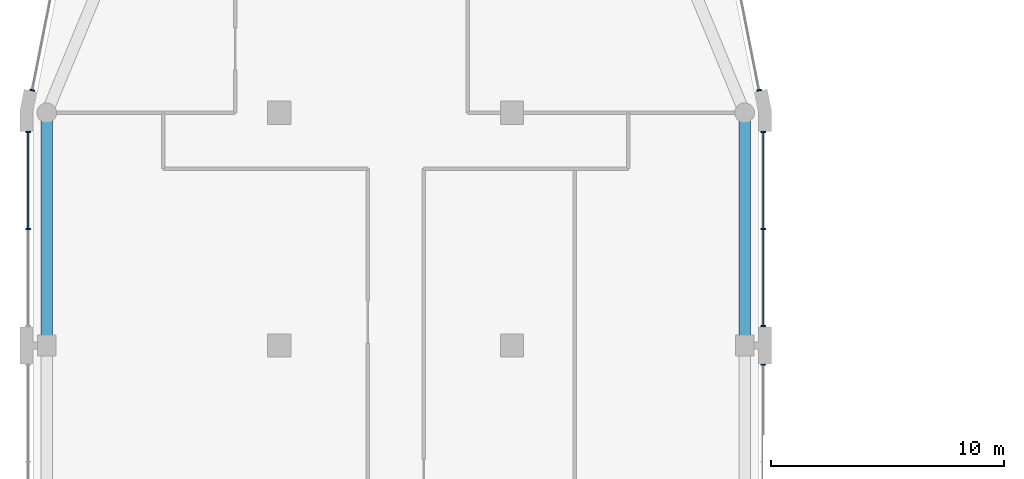
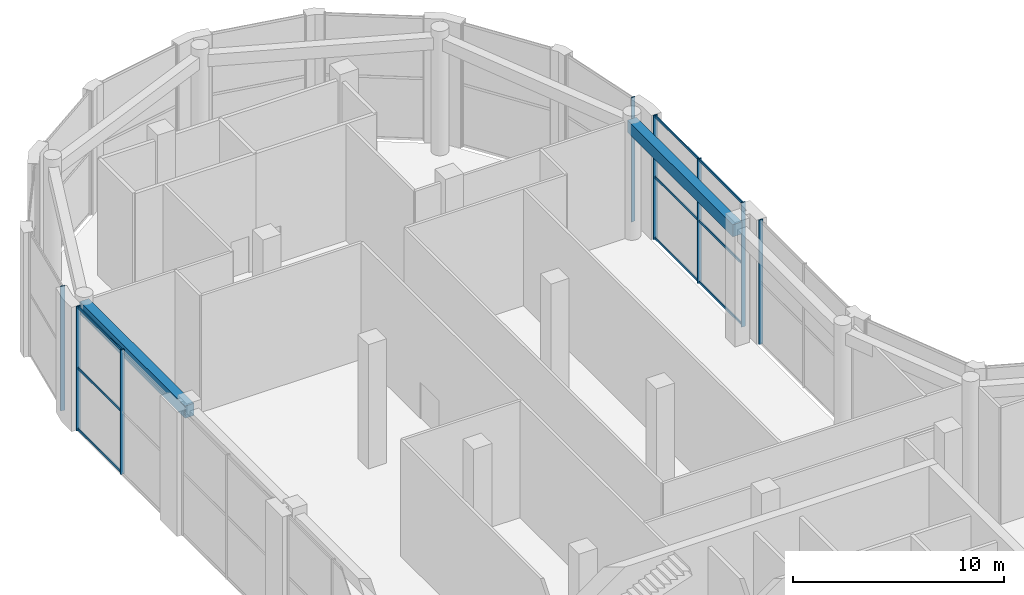
# One storey, part 6 of 14: 17 members, 2 beams, 5 elements without a shape of their own.
"""IFC4 building model written with IfcOpenShell, lengths in metres."""

from ifc_helpers import new_model, si_unit, direction, frame, origin, origin_2d, place, context, subcontext, project, spatial, rectangle, extrude, material, layer, layer_set, material_profile, profile_set, type_object, element, aggregate, save


model = new_model("IFC4")

# Units and contexts
model_context = context("Model", 3, precision=1e-05, world=origin(), true_north=direction((0.0, 1.0)))
body_context = subcontext(model_context, "Body", "Model", "MODEL_VIEW")
ifc_project = project(units=[si_unit("LENGTHUNIT", "METRE"), si_unit("AREAUNIT", "SQUARE_METRE"), si_unit("VOLUMEUNIT", "CUBIC_METRE"), si_unit("PLANEANGLEUNIT", "RADIAN"), si_unit("MASSUNIT", "GRAM", prefix="KILO")], contexts=[model_context])

# Site, building, storey
site_placement = place(None, origin())
site = spatial("IfcSite", under=ifc_project, at=site_placement, CompositionType="ELEMENT")
building_placement = place(site_placement, origin())
building = spatial("IfcBuilding", under=site, at=building_placement, Name="Qaws Garden Tower", CompositionType="ELEMENT")
storey_placement = place(building_placement, frame((0.0, 0.0, 358.199951171875)))
storey = spatial("IfcBuildingStorey", under=building, at=storey_placement, Name="L87", CompositionType="ELEMENT", Elevation=358.199951171875)

# Curtain wall, member
ifc_material_1 = material(Name="Anodised aluminium curtain wall frame", Category="aluminium")
ifc_layer = layer(ifc_material_1, 0.159912109375)
ifc_layer_set = layer_set([ifc_layer], Name="Anodised aluminium curtain wall frame")
curtain_wall_type = type_object("IfcCurtainWallType", Name="CW3 observation glazing curtain wall", PredefinedType="NOTDEFINED", material=ifc_layer_set)
placement = place(storey_placement, origin())
curtain_wall_1 = element("IfcCurtainWall", 1, at=placement, inside=storey, type_object=curtain_wall_type, Name="CW3 Observation glazing 07", PredefinedType="NOTDEFINED")
ifc_material_2 = material(Name="Anodised aluminium curtain wall frame", Category="aluminium")
ifc_material_profile_1 = material_profile(ifc_material_2, rectangle(XDim=0.219970703125, YDim=0.06005859375, at=origin_2d()), Name="AL 60x220")
ifc_profile_set_1 = profile_set([ifc_material_profile_1], Name="Anodised aluminium curtain wall frame")
member_type_1 = type_object("IfcMemberType", Name="CW3 mullion 60 x 220", PredefinedType="MULLION", material=ifc_profile_set_1)
member_1_placement = place(storey_placement, frame((30.800048828125, 49.169921875, 0.0), z_axis=(0.0, 0.0, 1.0), x_axis=(-1.0, 0.0, 0.0)))
member_1 = element("IfcMember", 2, at=member_1_placement, type_object=member_type_1, Name="CW3 mullion 3", PredefinedType="MULLION", context=body_context, shape_type="SweptSolid", body=[
    extrude(rectangle(XDim=0.219970703125, YDim=0.06005859375, at=origin_2d()), origin(), (0.0, 0.0, 1.0), 7.199951171875),
])
aggregate(curtain_wall_1, [member_1])

# Curtain wall, members
curtain_wall_2 = element("IfcCurtainWall", 3, at=placement, inside=storey, type_object=curtain_wall_type, Name="CW3 Observation glazing 08", PredefinedType="NOTDEFINED")
member_2_placement = place(storey_placement, frame((30.800048828125, 50.830078125, 0.0), z_axis=(0.0, 0.0, 1.0), x_axis=(-1.0, 0.0, 0.0)))
member_2 = element("IfcMember", 4, at=member_2_placement, type_object=member_type_1, Name="CW3 mullion 1", PredefinedType="MULLION", context=body_context, shape_type="SweptSolid", body=[
    extrude(rectangle(XDim=0.219970703125, YDim=0.06005859375, at=origin_2d()), origin(), (0.0, 0.0, 1.0), 7.199951171875),
])
member_3_placement = place(storey_placement, frame((30.800048828125, 55.0, 0.0), z_axis=(0.0, 0.0, 1.0), x_axis=(-1.0, 0.0, 0.0)))
member_3 = element("IfcMember", 5, at=member_3_placement, type_object=member_type_1, Name="CW3 mullion 2", PredefinedType="MULLION", context=body_context, shape_type="SweptSolid", body=[
    extrude(rectangle(XDim=0.219970703125, YDim=0.06005859375, at=origin_2d()), origin(), (0.0, 0.0, 1.0), 7.199951171875),
])
member_4_placement = place(storey_placement, frame((30.800048828125, 59.169921875, 0.0), z_axis=(0.0, 0.0, 1.0), x_axis=(-1.0, 0.0, 0.0)))
member_4 = element("IfcMember", 6, at=member_4_placement, type_object=member_type_1, Name="CW3 mullion 3", PredefinedType="MULLION", context=body_context, shape_type="SweptSolid", body=[
    extrude(rectangle(XDim=0.219970703125, YDim=0.06005859375, at=origin_2d()), origin(), (0.0, 0.0, 1.0), 7.199951171875),
])

# Curtain wall, member
curtain_wall_3 = element("IfcCurtainWall", 7, at=placement, inside=storey, type_object=curtain_wall_type, Name="CW3 Observation glazing 09", PredefinedType="NOTDEFINED")
member_5_placement = place(storey_placement, frame((30.622802734375, 60.97021484375, 0.0), z_axis=(0.0, 0.0, 1.0), x_axis=(-0.980785280407, -0.195090321999, 0.0)))
member_5 = element("IfcMember", 8, at=member_5_placement, type_object=member_type_1, Name="CW3 mullion 1", PredefinedType="MULLION", context=body_context, shape_type="SweptSolid", body=[
    extrude(rectangle(XDim=0.219970703125, YDim=0.06005859375, at=origin_2d()), origin(), (0.0, 0.0, 1.0), 7.199951171875),
])
aggregate(curtain_wall_3, [member_5])

curtain_wall_4 = element("IfcCurtainWall", 9, at=placement, inside=storey, type_object=curtain_wall_type, Name="CW3 Observation glazing 16", PredefinedType="NOTDEFINED")
member_6_placement = place(storey_placement, frame((-0.622802734375, 60.97021484375, 0.0), z_axis=(0.0, 0.0, 1.0), x_axis=(0.980785280407, -0.195090321999, 0.0)))
member_6 = element("IfcMember", 10, at=member_6_placement, type_object=member_type_1, Name="CW3 mullion 2", PredefinedType="MULLION", context=body_context, shape_type="SweptSolid", body=[
    extrude(rectangle(XDim=0.219970703125, YDim=0.06005859375, at=origin_2d()), origin(), (0.0, 0.0, 1.0), 7.199951171875),
])
aggregate(curtain_wall_4, [member_6])

# Curtain wall, members
curtain_wall_5 = element("IfcCurtainWall", 11, at=placement, inside=storey, type_object=curtain_wall_type, Name="CW3 Observation glazing 17", PredefinedType="NOTDEFINED")
member_7_placement = place(storey_placement, frame((-0.800048828125, 59.169921875, 0.0), z_axis=(0.0, 0.0, 1.0), x_axis=(1.0, 0.0, 0.0)))
member_7 = element("IfcMember", 12, at=member_7_placement, type_object=member_type_1, Name="CW3 mullion 1", PredefinedType="MULLION", context=body_context, shape_type="SweptSolid", body=[
    extrude(rectangle(XDim=0.219970703125, YDim=0.06005859375, at=origin_2d()), origin(), (0.0, 0.0, 1.0), 7.199951171875),
])
member_8_placement = place(storey_placement, frame((-0.800048828125, 55.0, 0.0), z_axis=(0.0, 0.0, 1.0), x_axis=(1.0, 0.0, 0.0)))
member_8 = element("IfcMember", 13, at=member_8_placement, type_object=member_type_1, Name="CW3 mullion 2", PredefinedType="MULLION", context=body_context, shape_type="SweptSolid", body=[
    extrude(rectangle(XDim=0.219970703125, YDim=0.06005859375, at=origin_2d()), origin(), (0.0, 0.0, 1.0), 7.199951171875),
])

# Member
ifc_material_3 = material(Name="Anodised aluminium curtain wall frame", Category="aluminium")
ifc_material_profile_2 = material_profile(ifc_material_3, rectangle(XDim=0.06005859375, YDim=0.139892578125, at=origin_2d()), Name="AL 60x140")
ifc_profile_set_2 = profile_set([ifc_material_profile_2], Name="Anodised aluminium curtain wall frame")
member_type_2 = type_object("IfcMemberType", Name="CW3 transom 140 x 60", PredefinedType="USERDEFINED", material=ifc_profile_set_2)
member_9_placement = place(storey_placement, frame((30.800048828125, 50.860107421875, 0.070068359375), z_axis=(0.0, 1.0, 0.0), x_axis=(-1.0, 0.0, 0.0)))
member_9 = element("IfcMember", 14, at=member_9_placement, type_object=member_type_2, Name="CW3 transom 1.1", ObjectType="TRANSOM", PredefinedType="USERDEFINED", context=body_context, shape_type="SweptSolid", body=[
    extrude(rectangle(XDim=0.06005859375, YDim=0.139892578125, at=origin_2d()), origin(), (0.0, 0.0, 1.0), 4.10986328125),
])

member_10_placement = place(storey_placement, frame((30.800048828125, 50.860107421875, 3.60009765625), z_axis=(0.0, 1.0, 0.0), x_axis=(-1.0, 0.0, 0.0)))
member_10 = element("IfcMember", 15, at=member_10_placement, type_object=member_type_2, Name="CW3 transom 1.2", ObjectType="TRANSOM", PredefinedType="USERDEFINED", context=body_context, shape_type="SweptSolid", body=[
    extrude(rectangle(XDim=0.06005859375, YDim=0.139892578125, at=origin_2d()), origin(), (0.0, 0.0, 1.0), 4.10986328125),
])

member_11_placement = place(storey_placement, frame((30.800048828125, 50.860107421875, 7.130126953125), z_axis=(0.0, 1.0, 0.0), x_axis=(-1.0, 0.0, 0.0)))
member_11 = element("IfcMember", 16, at=member_11_placement, type_object=member_type_2, Name="CW3 transom 1.3", ObjectType="TRANSOM", PredefinedType="USERDEFINED", context=body_context, shape_type="SweptSolid", body=[
    extrude(rectangle(XDim=0.06005859375, YDim=0.139892578125, at=origin_2d()), origin(), (0.0, 0.0, 1.0), 4.10986328125),
])

member_12_placement = place(storey_placement, frame((30.800048828125, 55.030029296875, 0.070068359375), z_axis=(0.0, 1.0, 0.0), x_axis=(-1.0, 0.0, 0.0)))
member_12 = element("IfcMember", 17, at=member_12_placement, type_object=member_type_2, Name="CW3 transom 2.1", ObjectType="TRANSOM", PredefinedType="USERDEFINED", context=body_context, shape_type="SweptSolid", body=[
    extrude(rectangle(XDim=0.06005859375, YDim=0.139892578125, at=origin_2d()), origin(), (0.0, 0.0, 1.0), 4.10986328125),
])

member_13_placement = place(storey_placement, frame((30.800048828125, 55.030029296875, 3.60009765625), z_axis=(0.0, 1.0, 0.0), x_axis=(-1.0, 0.0, 0.0)))
member_13 = element("IfcMember", 18, at=member_13_placement, type_object=member_type_2, Name="CW3 transom 2.2", ObjectType="TRANSOM", PredefinedType="USERDEFINED", context=body_context, shape_type="SweptSolid", body=[
    extrude(rectangle(XDim=0.06005859375, YDim=0.139892578125, at=origin_2d()), origin(), (0.0, 0.0, 1.0), 4.10986328125),
])

member_14_placement = place(storey_placement, frame((30.800048828125, 55.030029296875, 7.130126953125), z_axis=(0.0, 1.0, 0.0), x_axis=(-1.0, 0.0, 0.0)))
member_14 = element("IfcMember", 19, at=member_14_placement, type_object=member_type_2, Name="CW3 transom 2.3", ObjectType="TRANSOM", PredefinedType="USERDEFINED", context=body_context, shape_type="SweptSolid", body=[
    extrude(rectangle(XDim=0.06005859375, YDim=0.139892578125, at=origin_2d()), origin(), (0.0, 0.0, 1.0), 4.10986328125),
])

aggregate(curtain_wall_2, [member_2, member_3, member_4, member_9, member_10, member_11, member_12, member_13, member_14])

member_15_placement = place(storey_placement, frame((-0.800048828125, 59.139892578125, 0.070068359375), z_axis=(0.0, -1.0, 0.0), x_axis=(1.0, 0.0, 0.0)))
member_15 = element("IfcMember", 20, at=member_15_placement, type_object=member_type_2, Name="CW3 transom 1.1", ObjectType="TRANSOM", PredefinedType="USERDEFINED", context=body_context, shape_type="SweptSolid", body=[
    extrude(rectangle(XDim=0.06005859375, YDim=0.139892578125, at=origin_2d()), origin(), (0.0, 0.0, 1.0), 4.10986328125),
])

member_16_placement = place(storey_placement, frame((-0.800048828125, 59.139892578125, 3.60009765625), z_axis=(0.0, -1.0, 0.0), x_axis=(1.0, 0.0, 0.0)))
member_16 = element("IfcMember", 21, at=member_16_placement, type_object=member_type_2, Name="CW3 transom 1.2", ObjectType="TRANSOM", PredefinedType="USERDEFINED", context=body_context, shape_type="SweptSolid", body=[
    extrude(rectangle(XDim=0.06005859375, YDim=0.139892578125, at=origin_2d()), origin(), (0.0, 0.0, 1.0), 4.10986328125),
])

member_17_placement = place(storey_placement, frame((-0.800048828125, 59.139892578125, 7.130126953125), z_axis=(0.0, -1.0, 0.0), x_axis=(1.0, 0.0, 0.0)))
member_17 = element("IfcMember", 22, at=member_17_placement, type_object=member_type_2, Name="CW3 transom 1.3", ObjectType="TRANSOM", PredefinedType="USERDEFINED", context=body_context, shape_type="SweptSolid", body=[
    extrude(rectangle(XDim=0.06005859375, YDim=0.139892578125, at=origin_2d()), origin(), (0.0, 0.0, 1.0), 4.10986328125),
])

aggregate(curtain_wall_5, [member_7, member_8, member_15, member_16, member_17])

# Beams
ifc_material_4 = material(Name="Concrete C45", Category="concrete")
ifc_material_profile_3 = material_profile(ifc_material_4, rectangle(XDim=0.5, YDim=0.699951171875, at=origin_2d()), Name="RC 500x700")
ifc_profile_set_3 = profile_set([ifc_material_profile_3], Name="Concrete C45")
beam_type = type_object("IfcBeamType", Name="Spandrel beam RC 500x700 C45", PredefinedType="SPANDREL", material=ifc_profile_set_3)
for number, where, z_axis, x_axis, name in (
    (23, (30.0, 50.0, 6.400146484375), (0.0, 1.0, 0.0), (-1.0, 0.0, 0.0), "Spandrel beam L87-009"),
    (24, (0.0, 60.0, 6.400146484375), (0.0, -1.0, 0.0), (1.0, 0.0, 0.0), "Spandrel beam L87-014"),
):
    element("IfcBeam", number, at=place(storey_placement, frame(where, z_axis=z_axis, x_axis=x_axis)), inside=storey, type_object=beam_type, Name=name, PredefinedType="SPANDREL", context=body_context, shape_type="SweptSolid", body=[
        extrude(rectangle(XDim=0.5, YDim=0.699951171875, at=origin_2d()), origin(), (0.0, 0.0, 1.0), 10.0),
    ])

save(model, "model.ifc")
